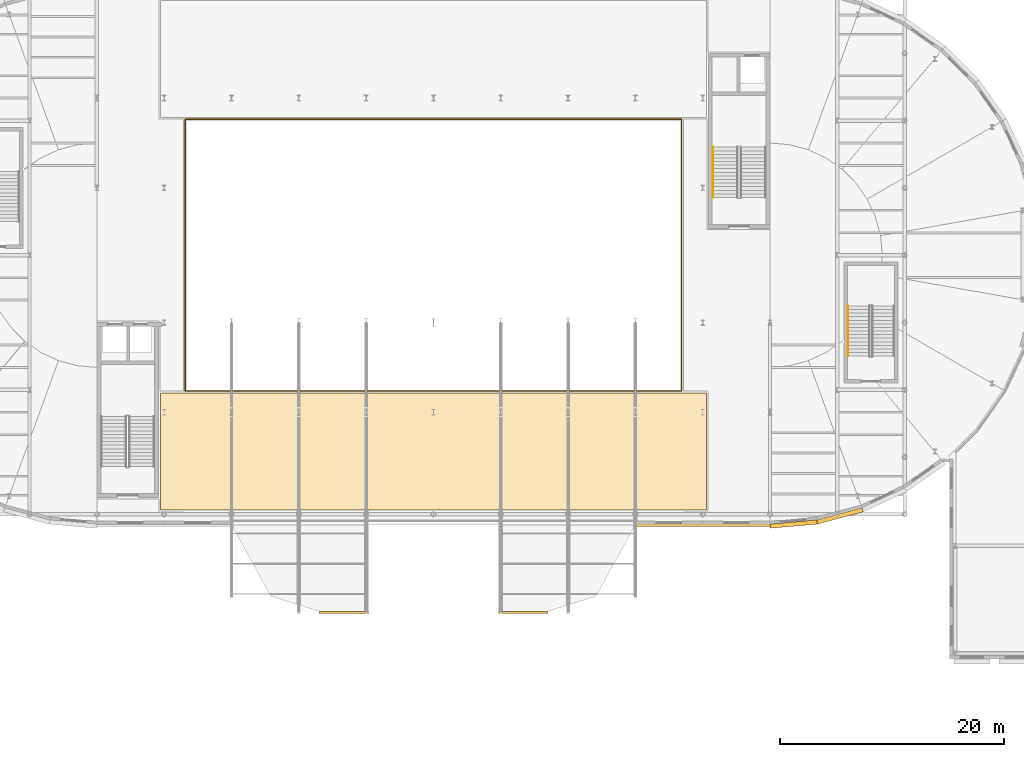
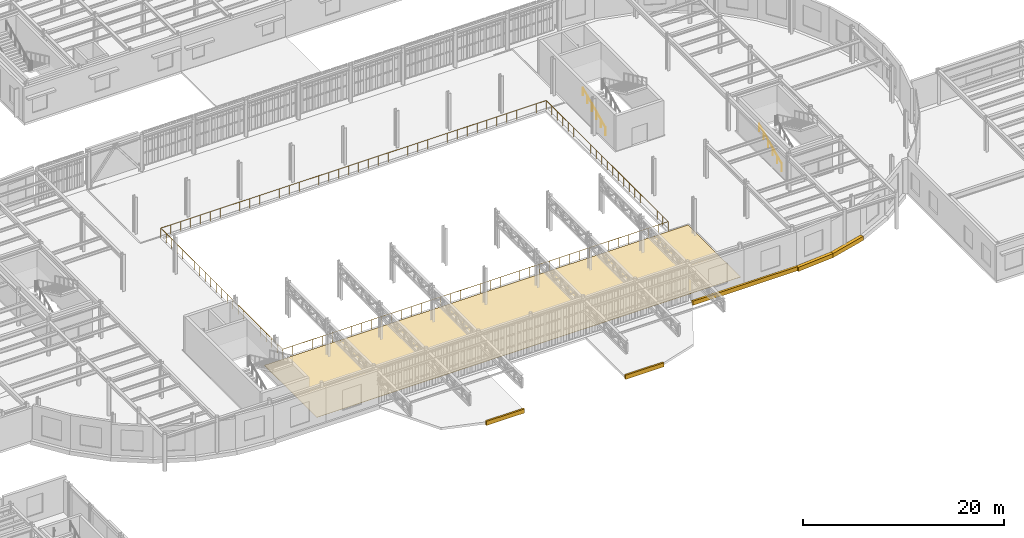
# One storey, part 81 of 91: 6 coverings, 3 railings, 2 elements without a shape of their own.
"""IFC4 building model written with IfcOpenShell, lengths in metres."""

import ifcopenshell
import ifcopenshell.guid

model = None  # the IFC model being written
_history = None  # IfcOwnerHistory: only IFC2X3 demands one
_inside = {}  # id of a spatial element -> (the spatial element, [elements in it])
_under = {}  # id of a project, library or spatial element -> (it, [spatial elements below it])
_declared = {}  # id of a project -> (the project, [libraries it declares])
_typed = {}  # id of a type object -> (the type object, [elements of that type])
_made_of = {}  # id of a material, layer set ... -> (it, [elements and type objects made of it])


def new_model(schema):
    """Start an empty IFC model of exactly this schema.

    Asked for "IFC4X3", IfcOpenShell would pick the latest addendum, in which some entities
    have other attributes; the version numbers below select the first issue.
    IFC2X3 requires an IfcOwnerHistory on every rooted entity: one is made here for all.
    """
    global model, _history
    if schema == "IFC4X3":
        model = ifcopenshell.file(schema_version=(4, 3, 0, 0))
    else:
        model = ifcopenshell.file(schema=schema)
    _inside.clear()
    _under.clear()
    _declared.clear()
    _typed.clear()
    _made_of.clear()
    _history = None
    if model.schema == "IFC2X3":
        org = make("IfcOrganization", Name="unknown")
        user = make(
            "IfcPersonAndOrganization",
            ThePerson=make("IfcPerson", FamilyName="unknown"),
            TheOrganization=org,
        )
        app = make(
            "IfcApplication",
            ApplicationDeveloper=org,
            Version="unknown",
            ApplicationFullName="unknown",
            ApplicationIdentifier="unknown",
        )
        _history = make(
            "IfcOwnerHistory",
            OwningUser=user,
            OwningApplication=app,
            ChangeAction="ADDED",
            CreationDate=0,
        )
    return model


def make(cls, **values):
    """One entity of the class cls with the attributes given. An attribute that is None is left unset."""
    return model.create_entity(
        cls, **{name: value for name, value in values.items() if value is not None}
    )


def rooted(cls, **values):
    """An entity with a GlobalId (a new one), such as an element, a storey or a relation."""
    return make(cls, GlobalId=ifcopenshell.guid.new(), OwnerHistory=_history, **values)


def si_unit(unit_type, name, prefix=None):
    """IfcSIUnit, for example si_unit("LENGTHUNIT", "METRE", prefix="MILLI")."""
    return make("IfcSIUnit", UnitType=unit_type, Prefix=prefix, Name=name)


def assignment(units):
    """IfcUnitAssignment: the units of a project."""
    return None if units is None else make("IfcUnitAssignment", Units=units)


def point(xyz):
    """IfcCartesianPoint."""
    return None if xyz is None else make("IfcCartesianPoint", Coordinates=xyz)


def direction(xyz):
    """IfcDirection."""
    return None if xyz is None else make("IfcDirection", DirectionRatios=xyz)


def frame(location, z_axis=None, x_axis=None):
    """IfcAxis2Placement3D, a coordinate frame: its origin and axes. An axis left out is left unset."""
    return make(
        "IfcAxis2Placement3D",
        Location=point(location),
        Axis=direction(z_axis),
        RefDirection=direction(x_axis),
    )


def frame_2d(location, x_axis=None):
    """IfcAxis2Placement2D, a coordinate frame in the plane: its origin and x axis."""
    return make(
        "IfcAxis2Placement2D", Location=point(location), RefDirection=direction(x_axis)
    )


def origin():
    """The frame at (0, 0, 0) with its axes left unset."""
    return frame((0.0, 0.0, 0.0))


def origin_2d():
    """The frame at (0, 0) in the plane with its x axis left unset."""
    return frame_2d((0.0, 0.0))


def place(relative_to, where):
    """IfcLocalPlacement: puts the frame where relative to a parent placement (None: the world)."""
    return make(
        "IfcLocalPlacement", PlacementRelTo=relative_to, RelativePlacement=where
    )


def context(
    kind, dimensions, precision=None, world=None, true_north=None, identifier=None
):
    """IfcGeometricRepresentationContext, for example the 3D "Model" context."""
    return make(
        "IfcGeometricRepresentationContext",
        ContextIdentifier=identifier,
        ContextType=kind,
        CoordinateSpaceDimension=dimensions,
        Precision=precision,
        WorldCoordinateSystem=world,
        TrueNorth=true_north,
    )


def subcontext(parent, identifier, kind, view, scale=None):
    """IfcGeometricRepresentationSubContext, for example "Body" below "Model"."""
    return make(
        "IfcGeometricRepresentationSubContext",
        ContextIdentifier=identifier,
        ContextType=kind,
        ParentContext=parent,
        TargetScale=scale,
        TargetView=view,
    )


def project(units=None, contexts=None):
    """IfcProject with its units and contexts."""
    return rooted(
        "IfcProject",
        Name="project",
        RepresentationContexts=contexts,
        UnitsInContext=assignment(units),
    )


def spatial(cls, under=None, at=None, **own):
    """A site, building, storey or space (cls), placed at a placement, below another one or the project."""
    s = rooted(cls, ObjectPlacement=at, **own)
    if under is not None:
        _under.setdefault(under.id(), (under, []))[1].append(s)
    return s


def polyline(points):
    """IfcPolyline through the points."""
    return make("IfcPolyline", Points=[point(p) for p in points])


def profile(cls, at=None, kind="AREA", **sizes):
    """A parametric profile (cls). Its sizes go by their IFC names, for example OverallWidth=200.0."""
    return make(cls, ProfileType=kind, Position=at, **sizes)


def circle(**sizes):
    """IfcCircleProfileDef."""
    return profile("IfcCircleProfileDef", **sizes)


def outline(outer, holes=None, kind="AREA"):
    """IfcArbitraryClosedProfileDef: a profile drawn as a closed curve; with holes, ...WithVoids."""
    if holes is None:
        return make("IfcArbitraryClosedProfileDef", ProfileType=kind, OuterCurve=outer)
    return make(
        "IfcArbitraryProfileDefWithVoids",
        ProfileType=kind,
        OuterCurve=outer,
        InnerCurves=holes,
    )


def extrude(swept, where, along, depth):
    """IfcExtrudedAreaSolid: the profile swept, set in the frame where, extruded along a direction by depth."""
    return make(
        "IfcExtrudedAreaSolid",
        SweptArea=swept,
        Position=where,
        ExtrudedDirection=direction(along),
        Depth=depth,
    )


def shape(context_of_items, identifier, shape_type, items):
    """IfcShapeRepresentation: the items that make up one representation, for example the "Body"."""
    return make(
        "IfcShapeRepresentation",
        ContextOfItems=context_of_items,
        RepresentationIdentifier=identifier,
        RepresentationType=shape_type,
        Items=items,
    )


def material(Name=None, Category=None):
    """IfcMaterial."""
    return make("IfcMaterial", Name=Name, Category=Category)


def layer(
    of_material, thickness, ventilated=None, Name=None, Category=None, Priority=None
):
    """IfcMaterialLayer: one layer of a wall or slab, of a material (None: an air gap)."""
    return make(
        "IfcMaterialLayer",
        Material=of_material,
        LayerThickness=thickness,
        IsVentilated=ventilated,
        Name=Name,
        Category=Category,
        Priority=Priority,
    )


def layer_set(layers, Name=None):
    """IfcMaterialLayerSet."""
    return make("IfcMaterialLayerSet", MaterialLayers=layers, LayerSetName=Name)


def made_of(thing, what):
    """Note that an element or type object is made of a material, layer set ...; save() writes the relation."""
    if what is not None:
        _made_of.setdefault(what.id(), (what, []))[1].append(thing)
    return thing


def type_object(cls, material=None, **own):
    """A type object (cls), such as IfcWallType, which elements share."""
    return made_of(rooted(cls, **own), material)


def element(
    cls,
    number,
    at=None,
    inside=None,
    cuts=None,
    type_object=None,
    material=None,
    context=None,
    identifier="Body",
    shape_type=None,
    held_by="IfcProductDefinitionShape",
    body=None,
    shapes=None,
    **own,
):
    """One element of the class cls, such as IfcWall. Its Tag is "e" and its number.

    at: its placement. inside: the storey or other place that contains it. cuts: it is an
    opening in that element (IfcRelVoidsElement). A single representation is given by context,
    identifier, shape_type and body (its items); several are given by shapes. held_by: the class
    of the entity that holds the representations. save() writes the other relations.
    """
    e = rooted(cls, Tag="e%d" % number, ObjectPlacement=at, **own)
    if body is not None:
        shapes = [shape(context, identifier, shape_type, body)]
    if shapes is not None:
        e.Representation = make(held_by, Representations=shapes)
    if inside is not None:
        _inside.setdefault(inside.id(), (inside, []))[1].append(e)
    if cuts is not None:
        rooted(
            "IfcRelVoidsElement", RelatingBuildingElement=cuts, RelatedOpeningElement=e
        )
    if type_object is not None:
        _typed.setdefault(type_object.id(), (type_object, []))[1].append(e)
    return made_of(e, material)


def aggregate(whole, parts):
    """IfcRelAggregates: a whole, such as a stair, and the parts it consists of."""
    return rooted("IfcRelAggregates", RelatingObject=whole, RelatedObjects=parts)


def save(model, path):
    """Write the relations noted so far, then the file.

    IfcRelAggregates (storeys below a building ...), IfcRelContainedInSpatialStructure (elements
    in a storey), IfcRelDefinesByType, IfcRelAssociatesMaterial and IfcRelDeclares: one each for
    every whole, place, type object, material and project.
    """
    for whole, parts in _under.values():
        aggregate(whole, parts)
    for where, things in _inside.values():
        rooted(
            "IfcRelContainedInSpatialStructure",
            RelatedElements=things,
            RelatingStructure=where,
        )
    for kind, things in _typed.values():
        rooted("IfcRelDefinesByType", RelatedObjects=things, RelatingType=kind)
    for what, things in _made_of.values():
        rooted("IfcRelAssociatesMaterial", RelatedObjects=things, RelatingMaterial=what)
    for by, libraries in _declared.values():
        rooted("IfcRelDeclares", RelatingContext=by, RelatedDefinitions=libraries)
    model.write(path)


model = new_model("IFC4")

# Units and contexts
model_context = context("Model", 3, precision=1e-05, world=origin(), true_north=direction((0.0, 1.0)))
body_context = subcontext(model_context, "Body", "Model", "MODEL_VIEW")
ifc_project = project(units=[si_unit("LENGTHUNIT", "METRE"), si_unit("AREAUNIT", "SQUARE_METRE"), si_unit("VOLUMEUNIT", "CUBIC_METRE"), si_unit("PLANEANGLEUNIT", "RADIAN"), si_unit("MASSUNIT", "GRAM", prefix="KILO")], contexts=[model_context])

# Site, building, storey
site_placement = place(None, origin())
site = spatial("IfcSite", under=ifc_project, at=site_placement, CompositionType="ELEMENT")
building_placement = place(site_placement, origin())
building = spatial("IfcBuilding", under=site, at=building_placement, Name="Kolvaren Corner Interchange", CompositionType="ELEMENT")
storey_placement = place(building_placement, frame((0.0, 0.0, 6.0)))
storey = spatial("IfcBuildingStorey", under=building, at=storey_placement, Name="L02", CompositionType="ELEMENT", Elevation=6.0)

# Coverings
ifc_material_1 = material(Name="Polished Niger Delta Granite Terrazzo Flooring", Category="masonry")
ifc_layer_1 = layer(ifc_material_1, 0.030029296875)
ifc_layer_set_1 = layer_set([ifc_layer_1], Name="Polished Niger Delta Granite Terrazzo Flooring")
covering_type_1 = type_object("IfcCoveringType", Name="COV-FLR-TER30", PredefinedType="FLOORING", material=ifc_layer_set_1)
covering_1_placement = place(storey_placement, origin())
element("IfcCovering", 1, at=covering_1_placement, inside=storey, type_object=covering_type_1, Name="L02 South Racetrack Waiting Gallery Floor Finish", PredefinedType="FLOORING", context=body_context, shape_type="SweptSolid", body=[
    extrude(outline(polyline([(65.679931640625, 25.280029296875), (114.320068359375, 25.280029296875), (114.320068359375, 35.719970703125), (65.679931640625, 35.719970703125), (65.679931640625, 25.280029296875)])), origin(), (0.0, 0.0, 1.0), 0.030029296875),
])
ifc_material_2 = material(Name="Glazed White Terracotta Fascia Cladding", Category="masonry")
ifc_layer_2 = layer(ifc_material_2, 0.0400390625)
ifc_layer_set_2 = layer_set([ifc_layer_2], Name="Glazed White Terracotta Fascia Cladding")
covering_type_2 = type_object("IfcCoveringType", Name="COV-WHT-CLAD40", PredefinedType="CLADDING", material=ifc_layer_set_2)
covering_2_placement = place(storey_placement, frame((0.0, 0.0, -0.320068359375)))
element("IfcCovering", 2, at=covering_2_placement, inside=storey, type_object=covering_type_2, Name="South Portal L02 West Parted White Band", PredefinedType="CLADDING", context=body_context, shape_type="SweptSolid", body=[
    extrude(outline(polyline([(79.800048828125, 16.050048828125), (84.199951171875, 16.050048828125), (84.199951171875, 16.25), (79.800048828125, 16.25), (79.800048828125, 16.050048828125)])), origin(), (0.0, 0.0, 1.0), 0.5),
])
covering_3_placement = place(storey_placement, frame((0.0, 0.0, -0.320068359375)))
element("IfcCovering", 3, at=covering_3_placement, inside=storey, type_object=covering_type_2, Name="South Portal L02 East Parted White Band", PredefinedType="CLADDING", context=body_context, shape_type="SweptSolid", body=[
    extrude(outline(polyline([(95.800048828125, 16.050048828125), (100.199951171875, 16.050048828125), (100.199951171875, 16.25), (95.800048828125, 16.25), (95.800048828125, 16.050048828125)])), origin(), (0.0, 0.0, 1.0), 0.5),
])
covering_4_placement = place(storey_placement, frame((0.0, 0.0, -0.320068359375)))
element("IfcCovering", 4, at=covering_4_placement, inside=storey, type_object=covering_type_2, Name="Racetrack South East L02 White Band", PredefinedType="CLADDING", context=body_context, shape_type="SweptSolid", body=[
    extrude(outline(polyline([(108.0, 23.820068359375), (120.0, 23.820068359375), (120.0, 24.06005859375), (108.0, 24.06005859375), (108.0, 23.820068359375)])), origin(), (0.0, 0.0, 1.0), 0.5),
])
covering_5_placement = place(storey_placement, frame((0.0, 0.0, -0.320068359375)))
element("IfcCovering", 5, at=covering_5_placement, inside=storey, type_object=covering_type_2, Name="Racetrack East L02 Sweeping White Edge Band 01", PredefinedType="CLADDING", context=body_context, shape_type="SweptSolid", body=[
    extrude(outline(polyline([(120.0, 24.0400390625), (120.0, 23.659912109375), (124.2265625, 24.02978515625), (124.16064453125, 24.404052734375), (120.0, 24.0400390625)])), origin(), (0.0, 0.0, 1.0), 0.5),
])
covering_6_placement = place(storey_placement, frame((0.0, 0.0, -0.320068359375)))
element("IfcCovering", 6, at=covering_6_placement, inside=storey, type_object=covering_type_2, Name="Racetrack East L02 Sweeping White Edge Band 02", PredefinedType="CLADDING", context=body_context, shape_type="SweptSolid", body=[
    extrude(outline(polyline([(124.16064453125, 24.404052734375), (124.2265625, 24.02978515625), (128.32470703125, 25.1279296875), (128.19482421875, 25.485107421875), (124.16064453125, 24.404052734375)])), origin(), (0.0, 0.0, 1.0), 0.5),
])

# Railing
ifc_material_3 = material(Name="Brushed Stainless Steel and Glass Atrium Guardrail", Category="steel")
railing_type_1 = type_object("IfcRailingType", Name="RLT-ATR-GRD1120", PredefinedType="GUARDRAIL", material=ifc_material_3)
railing_1_placement = place(storey_placement, frame((67.8798828125, 35.8798828125, 0.0)))
element("IfcRailing", 7, at=railing_1_placement, inside=storey, type_object=railing_type_1, Name="Level 02 Concourse Atrium Void Guardrail", PredefinedType="GUARDRAIL", context=body_context, shape_type="SweptSolid", body=[
    extrude(circle(Radius=0.02490234375, at=origin_2d()), frame((0.0, 0.0, 1.09521484375), z_axis=(1.0, 0.0, 0.0), x_axis=(0.0, 1.0, 0.0)), (0.0, 0.0, 1.0), 44.240234375),
    extrude(circle(Radius=0.02490234375, at=origin_2d()), frame((44.240234375, 0.0, 1.09521484375), z_axis=(0.0, 1.0, 0.0), x_axis=(-1.0, 0.0, 0.0)), (0.0, 0.0, 1.0), 24.240234375),
    extrude(circle(Radius=0.02490234375, at=origin_2d()), frame((44.240234375, 24.240234375, 1.09521484375), z_axis=(-1.0, 0.0, 0.0), x_axis=(0.0, -1.0, 0.0)), (0.0, 0.0, 1.0), 44.240234375),
    extrude(circle(Radius=0.02490234375, at=origin_2d()), frame((0.0, 24.240234375, 1.09521484375), z_axis=(0.0, -1.0, 0.0), x_axis=(1.0, 0.0, 0.0)), (0.0, 0.0, 1.0), 24.240234375),
    extrude(circle(Radius=0.02099609375, at=origin_2d()), origin(), (0.0, 0.0, 1.0), 1.070068359375),
    extrude(circle(Radius=0.02099609375, at=origin_2d()), frame((1.13427734375, 0.0, 0.0)), (0.0, 0.0, 1.0), 1.070068359375),
    extrude(circle(Radius=0.02099609375, at=origin_2d()), frame((2.268798828125, 0.0, 0.0)), (0.0, 0.0, 1.0), 1.070068359375),
    extrude(circle(Radius=0.02099609375, at=origin_2d()), frame((3.403076171875, 0.0, 0.0)), (0.0, 0.0, 1.0), 1.070068359375),
    extrude(circle(Radius=0.02099609375, at=origin_2d()), frame((4.537353515625, 0.0, 0.0)), (0.0, 0.0, 1.0), 1.070068359375),
    extrude(circle(Radius=0.02099609375, at=origin_2d()), frame((5.671875, 0.0, 0.0)), (0.0, 0.0, 1.0), 1.070068359375),
    extrude(circle(Radius=0.02099609375, at=origin_2d()), frame((6.80615234375, 0.0, 0.0)), (0.0, 0.0, 1.0), 1.070068359375),
    extrude(circle(Radius=0.02099609375, at=origin_2d()), frame((7.940673828125, 0.0, 0.0)), (0.0, 0.0, 1.0), 1.070068359375),
    extrude(circle(Radius=0.02099609375, at=origin_2d()), frame((9.074951171875, 0.0, 0.0)), (0.0, 0.0, 1.0), 1.070068359375),
    extrude(circle(Radius=0.02099609375, at=origin_2d()), frame((10.209228515625, 0.0, 0.0)), (0.0, 0.0, 1.0), 1.070068359375),
    extrude(circle(Radius=0.02099609375, at=origin_2d()), frame((11.34375, 0.0, 0.0)), (0.0, 0.0, 1.0), 1.070068359375),
    extrude(circle(Radius=0.02099609375, at=origin_2d()), frame((12.47802734375, 0.0, 0.0)), (0.0, 0.0, 1.0), 1.070068359375),
    extrude(circle(Radius=0.02099609375, at=origin_2d()), frame((13.6123046875, 0.0, 0.0)), (0.0, 0.0, 1.0), 1.070068359375),
    extrude(circle(Radius=0.02099609375, at=origin_2d()), frame((14.746826171875, 0.0, 0.0)), (0.0, 0.0, 1.0), 1.070068359375),
    extrude(circle(Radius=0.02099609375, at=origin_2d()), frame((15.881103515625, 0.0, 0.0)), (0.0, 0.0, 1.0), 1.070068359375),
    extrude(circle(Radius=0.02099609375, at=origin_2d()), frame((17.015380859375, 0.0, 0.0)), (0.0, 0.0, 1.0), 1.070068359375),
    extrude(circle(Radius=0.02099609375, at=origin_2d()), frame((18.14990234375, 0.0, 0.0)), (0.0, 0.0, 1.0), 1.070068359375),
    extrude(circle(Radius=0.02099609375, at=origin_2d()), frame((19.2841796875, 0.0, 0.0)), (0.0, 0.0, 1.0), 1.070068359375),
    extrude(circle(Radius=0.02099609375, at=origin_2d()), frame((20.41845703125, 0.0, 0.0)), (0.0, 0.0, 1.0), 1.070068359375),
    extrude(circle(Radius=0.02099609375, at=origin_2d()), frame((21.552978515625, 0.0, 0.0)), (0.0, 0.0, 1.0), 1.070068359375),
    extrude(circle(Radius=0.02099609375, at=origin_2d()), frame((22.687255859375, 0.0, 0.0)), (0.0, 0.0, 1.0), 1.070068359375),
    extrude(circle(Radius=0.02099609375, at=origin_2d()), frame((23.82177734375, 0.0, 0.0)), (0.0, 0.0, 1.0), 1.070068359375),
    extrude(circle(Radius=0.02099609375, at=origin_2d()), frame((24.9560546875, 0.0, 0.0)), (0.0, 0.0, 1.0), 1.070068359375),
    extrude(circle(Radius=0.02099609375, at=origin_2d()), frame((26.09033203125, 0.0, 0.0)), (0.0, 0.0, 1.0), 1.070068359375),
    extrude(circle(Radius=0.02099609375, at=origin_2d()), frame((27.224853515625, 0.0, 0.0)), (0.0, 0.0, 1.0), 1.070068359375),
    extrude(circle(Radius=0.02099609375, at=origin_2d()), frame((28.359130859375, 0.0, 0.0)), (0.0, 0.0, 1.0), 1.070068359375),
    extrude(circle(Radius=0.02099609375, at=origin_2d()), frame((29.493408203125, 0.0, 0.0)), (0.0, 0.0, 1.0), 1.070068359375),
    extrude(circle(Radius=0.02099609375, at=origin_2d()), frame((30.6279296875, 0.0, 0.0)), (0.0, 0.0, 1.0), 1.070068359375),
    extrude(circle(Radius=0.02099609375, at=origin_2d()), frame((31.76220703125, 0.0, 0.0)), (0.0, 0.0, 1.0), 1.070068359375),
    extrude(circle(Radius=0.02099609375, at=origin_2d()), frame((32.896484375, 0.0, 0.0)), (0.0, 0.0, 1.0), 1.070068359375),
    extrude(circle(Radius=0.02099609375, at=origin_2d()), frame((34.031005859375, 0.0, 0.0)), (0.0, 0.0, 1.0), 1.070068359375),
    extrude(circle(Radius=0.02099609375, at=origin_2d()), frame((35.165283203125, 0.0, 0.0)), (0.0, 0.0, 1.0), 1.070068359375),
    extrude(circle(Radius=0.02099609375, at=origin_2d()), frame((36.299560546875, 0.0, 0.0)), (0.0, 0.0, 1.0), 1.070068359375),
    extrude(circle(Radius=0.02099609375, at=origin_2d()), frame((37.43408203125, 0.0, 0.0)), (0.0, 0.0, 1.0), 1.070068359375),
    extrude(circle(Radius=0.02099609375, at=origin_2d()), frame((38.568359375, 0.0, 0.0)), (0.0, 0.0, 1.0), 1.070068359375),
    extrude(circle(Radius=0.02099609375, at=origin_2d()), frame((39.702880859375, 0.0, 0.0)), (0.0, 0.0, 1.0), 1.070068359375),
    extrude(circle(Radius=0.02099609375, at=origin_2d()), frame((40.837158203125, 0.0, 0.0)), (0.0, 0.0, 1.0), 1.070068359375),
    extrude(circle(Radius=0.02099609375, at=origin_2d()), frame((41.971435546875, 0.0, 0.0)), (0.0, 0.0, 1.0), 1.070068359375),
    extrude(circle(Radius=0.02099609375, at=origin_2d()), frame((43.10595703125, 0.0, 0.0)), (0.0, 0.0, 1.0), 1.070068359375),
    extrude(circle(Radius=0.02099609375, at=origin_2d()), frame((44.240234375, 0.0, 0.0)), (0.0, 0.0, 1.0), 1.070068359375),
    extrude(circle(Radius=0.02099609375, at=origin_2d()), frame((44.240234375, 1.101806640625, 0.0)), (0.0, 0.0, 1.0), 1.070068359375),
    extrude(circle(Radius=0.02099609375, at=origin_2d()), frame((44.240234375, 2.20361328125, 0.0)), (0.0, 0.0, 1.0), 1.070068359375),
    extrude(circle(Radius=0.02099609375, at=origin_2d()), frame((44.240234375, 3.305419921875, 0.0)), (0.0, 0.0, 1.0), 1.070068359375),
    extrude(circle(Radius=0.02099609375, at=origin_2d()), frame((44.240234375, 4.4072265625, 0.0)), (0.0, 0.0, 1.0), 1.070068359375),
    extrude(circle(Radius=0.02099609375, at=origin_2d()), frame((44.240234375, 5.509033203125, 0.0)), (0.0, 0.0, 1.0), 1.070068359375),
    extrude(circle(Radius=0.02099609375, at=origin_2d()), frame((44.240234375, 6.611083984375, 0.0)), (0.0, 0.0, 1.0), 1.070068359375),
    extrude(circle(Radius=0.02099609375, at=origin_2d()), frame((44.240234375, 7.712890625, 0.0)), (0.0, 0.0, 1.0), 1.070068359375),
    extrude(circle(Radius=0.02099609375, at=origin_2d()), frame((44.240234375, 8.814697265625, 0.0)), (0.0, 0.0, 1.0), 1.070068359375),
    extrude(circle(Radius=0.02099609375, at=origin_2d()), frame((44.240234375, 9.91650390625, 0.0)), (0.0, 0.0, 1.0), 1.070068359375),
    extrude(circle(Radius=0.02099609375, at=origin_2d()), frame((44.240234375, 11.018310546875, 0.0)), (0.0, 0.0, 1.0), 1.070068359375),
    extrude(circle(Radius=0.02099609375, at=origin_2d()), frame((44.240234375, 12.1201171875, 0.0)), (0.0, 0.0, 1.0), 1.070068359375),
    extrude(circle(Radius=0.02099609375, at=origin_2d()), frame((44.240234375, 13.221923828125, 0.0)), (0.0, 0.0, 1.0), 1.070068359375),
    extrude(circle(Radius=0.02099609375, at=origin_2d()), frame((44.240234375, 14.32373046875, 0.0)), (0.0, 0.0, 1.0), 1.070068359375),
    extrude(circle(Radius=0.02099609375, at=origin_2d()), frame((44.240234375, 15.425537109375, 0.0)), (0.0, 0.0, 1.0), 1.070068359375),
    extrude(circle(Radius=0.02099609375, at=origin_2d()), frame((44.240234375, 16.52734375, 0.0)), (0.0, 0.0, 1.0), 1.070068359375),
    extrude(circle(Radius=0.02099609375, at=origin_2d()), frame((44.240234375, 17.629150390625, 0.0)), (0.0, 0.0, 1.0), 1.070068359375),
    extrude(circle(Radius=0.02099609375, at=origin_2d()), frame((44.240234375, 18.731201171875, 0.0)), (0.0, 0.0, 1.0), 1.070068359375),
    extrude(circle(Radius=0.02099609375, at=origin_2d()), frame((44.240234375, 19.8330078125, 0.0)), (0.0, 0.0, 1.0), 1.070068359375),
    extrude(circle(Radius=0.02099609375, at=origin_2d()), frame((44.240234375, 20.934814453125, 0.0)), (0.0, 0.0, 1.0), 1.070068359375),
    extrude(circle(Radius=0.02099609375, at=origin_2d()), frame((44.240234375, 22.03662109375, 0.0)), (0.0, 0.0, 1.0), 1.070068359375),
    extrude(circle(Radius=0.02099609375, at=origin_2d()), frame((44.240234375, 23.138427734375, 0.0)), (0.0, 0.0, 1.0), 1.070068359375),
    extrude(circle(Radius=0.02099609375, at=origin_2d()), frame((44.240234375, 24.240234375, 0.0)), (0.0, 0.0, 1.0), 1.070068359375),
    extrude(circle(Radius=0.02099609375, at=origin_2d()), frame((43.10595703125, 24.240234375, 0.0)), (0.0, 0.0, 1.0), 1.070068359375),
    extrude(circle(Radius=0.02099609375, at=origin_2d()), frame((41.971435546875, 24.240234375, 0.0)), (0.0, 0.0, 1.0), 1.070068359375),
    extrude(circle(Radius=0.02099609375, at=origin_2d()), frame((40.837158203125, 24.240234375, 0.0)), (0.0, 0.0, 1.0), 1.070068359375),
    extrude(circle(Radius=0.02099609375, at=origin_2d()), frame((39.702880859375, 24.240234375, 0.0)), (0.0, 0.0, 1.0), 1.070068359375),
    extrude(circle(Radius=0.02099609375, at=origin_2d()), frame((38.568359375, 24.240234375, 0.0)), (0.0, 0.0, 1.0), 1.070068359375),
    extrude(circle(Radius=0.02099609375, at=origin_2d()), frame((37.43408203125, 24.240234375, 0.0)), (0.0, 0.0, 1.0), 1.070068359375),
    extrude(circle(Radius=0.02099609375, at=origin_2d()), frame((36.299560546875, 24.240234375, 0.0)), (0.0, 0.0, 1.0), 1.070068359375),
    extrude(circle(Radius=0.02099609375, at=origin_2d()), frame((35.165283203125, 24.240234375, 0.0)), (0.0, 0.0, 1.0), 1.070068359375),
    extrude(circle(Radius=0.02099609375, at=origin_2d()), frame((34.031005859375, 24.240234375, 0.0)), (0.0, 0.0, 1.0), 1.070068359375),
    extrude(circle(Radius=0.02099609375, at=origin_2d()), frame((32.896484375, 24.240234375, 0.0)), (0.0, 0.0, 1.0), 1.070068359375),
    extrude(circle(Radius=0.02099609375, at=origin_2d()), frame((31.76220703125, 24.240234375, 0.0)), (0.0, 0.0, 1.0), 1.070068359375),
    extrude(circle(Radius=0.02099609375, at=origin_2d()), frame((30.6279296875, 24.240234375, 0.0)), (0.0, 0.0, 1.0), 1.070068359375),
    extrude(circle(Radius=0.02099609375, at=origin_2d()), frame((29.493408203125, 24.240234375, 0.0)), (0.0, 0.0, 1.0), 1.070068359375),
    extrude(circle(Radius=0.02099609375, at=origin_2d()), frame((28.359130859375, 24.240234375, 0.0)), (0.0, 0.0, 1.0), 1.070068359375),
    extrude(circle(Radius=0.02099609375, at=origin_2d()), frame((27.224853515625, 24.240234375, 0.0)), (0.0, 0.0, 1.0), 1.070068359375),
    extrude(circle(Radius=0.02099609375, at=origin_2d()), frame((26.09033203125, 24.240234375, 0.0)), (0.0, 0.0, 1.0), 1.070068359375),
    extrude(circle(Radius=0.02099609375, at=origin_2d()), frame((24.9560546875, 24.240234375, 0.0)), (0.0, 0.0, 1.0), 1.070068359375),
    extrude(circle(Radius=0.02099609375, at=origin_2d()), frame((23.82177734375, 24.240234375, 0.0)), (0.0, 0.0, 1.0), 1.070068359375),
    extrude(circle(Radius=0.02099609375, at=origin_2d()), frame((22.687255859375, 24.240234375, 0.0)), (0.0, 0.0, 1.0), 1.070068359375),
    extrude(circle(Radius=0.02099609375, at=origin_2d()), frame((21.552978515625, 24.240234375, 0.0)), (0.0, 0.0, 1.0), 1.070068359375),
    extrude(circle(Radius=0.02099609375, at=origin_2d()), frame((20.41845703125, 24.240234375, 0.0)), (0.0, 0.0, 1.0), 1.070068359375),
    extrude(circle(Radius=0.02099609375, at=origin_2d()), frame((19.2841796875, 24.240234375, 0.0)), (0.0, 0.0, 1.0), 1.070068359375),
    extrude(circle(Radius=0.02099609375, at=origin_2d()), frame((18.14990234375, 24.240234375, 0.0)), (0.0, 0.0, 1.0), 1.070068359375),
    extrude(circle(Radius=0.02099609375, at=origin_2d()), frame((17.015380859375, 24.240234375, 0.0)), (0.0, 0.0, 1.0), 1.070068359375),
    extrude(circle(Radius=0.02099609375, at=origin_2d()), frame((15.881103515625, 24.240234375, 0.0)), (0.0, 0.0, 1.0), 1.070068359375),
    extrude(circle(Radius=0.02099609375, at=origin_2d()), frame((14.746826171875, 24.240234375, 0.0)), (0.0, 0.0, 1.0), 1.070068359375),
    extrude(circle(Radius=0.02099609375, at=origin_2d()), frame((13.6123046875, 24.240234375, 0.0)), (0.0, 0.0, 1.0), 1.070068359375),
    extrude(circle(Radius=0.02099609375, at=origin_2d()), frame((12.47802734375, 24.240234375, 0.0)), (0.0, 0.0, 1.0), 1.070068359375),
    extrude(circle(Radius=0.02099609375, at=origin_2d()), frame((11.34375, 24.240234375, 0.0)), (0.0, 0.0, 1.0), 1.070068359375),
    extrude(circle(Radius=0.02099609375, at=origin_2d()), frame((10.209228515625, 24.240234375, 0.0)), (0.0, 0.0, 1.0), 1.070068359375),
    extrude(circle(Radius=0.02099609375, at=origin_2d()), frame((9.074951171875, 24.240234375, 0.0)), (0.0, 0.0, 1.0), 1.070068359375),
    extrude(circle(Radius=0.02099609375, at=origin_2d()), frame((7.940673828125, 24.240234375, 0.0)), (0.0, 0.0, 1.0), 1.070068359375),
    extrude(circle(Radius=0.02099609375, at=origin_2d()), frame((6.80615234375, 24.240234375, 0.0)), (0.0, 0.0, 1.0), 1.070068359375),
    extrude(circle(Radius=0.02099609375, at=origin_2d()), frame((5.671875, 24.240234375, 0.0)), (0.0, 0.0, 1.0), 1.070068359375),
    extrude(circle(Radius=0.02099609375, at=origin_2d()), frame((4.537353515625, 24.240234375, 0.0)), (0.0, 0.0, 1.0), 1.070068359375),
    extrude(circle(Radius=0.02099609375, at=origin_2d()), frame((3.403076171875, 24.240234375, 0.0)), (0.0, 0.0, 1.0), 1.070068359375),
    extrude(circle(Radius=0.02099609375, at=origin_2d()), frame((2.268798828125, 24.240234375, 0.0)), (0.0, 0.0, 1.0), 1.070068359375),
    extrude(circle(Radius=0.02099609375, at=origin_2d()), frame((1.13427734375, 24.240234375, 0.0)), (0.0, 0.0, 1.0), 1.070068359375),
    extrude(circle(Radius=0.02099609375, at=origin_2d()), frame((0.0, 24.240234375, 0.0)), (0.0, 0.0, 1.0), 1.070068359375),
    extrude(circle(Radius=0.02099609375, at=origin_2d()), frame((0.0, 23.138427734375, 0.0)), (0.0, 0.0, 1.0), 1.070068359375),
    extrude(circle(Radius=0.02099609375, at=origin_2d()), frame((0.0, 22.03662109375, 0.0)), (0.0, 0.0, 1.0), 1.070068359375),
    extrude(circle(Radius=0.02099609375, at=origin_2d()), frame((0.0, 20.934814453125, 0.0)), (0.0, 0.0, 1.0), 1.070068359375),
    extrude(circle(Radius=0.02099609375, at=origin_2d()), frame((0.0, 19.8330078125, 0.0)), (0.0, 0.0, 1.0), 1.070068359375),
    extrude(circle(Radius=0.02099609375, at=origin_2d()), frame((0.0, 18.731201171875, 0.0)), (0.0, 0.0, 1.0), 1.070068359375),
    extrude(circle(Radius=0.02099609375, at=origin_2d()), frame((0.0, 17.629150390625, 0.0)), (0.0, 0.0, 1.0), 1.070068359375),
    extrude(circle(Radius=0.02099609375, at=origin_2d()), frame((0.0, 16.52734375, 0.0)), (0.0, 0.0, 1.0), 1.070068359375),
    extrude(circle(Radius=0.02099609375, at=origin_2d()), frame((0.0, 15.425537109375, 0.0)), (0.0, 0.0, 1.0), 1.070068359375),
    extrude(circle(Radius=0.02099609375, at=origin_2d()), frame((0.0, 14.32373046875, 0.0)), (0.0, 0.0, 1.0), 1.070068359375),
    extrude(circle(Radius=0.02099609375, at=origin_2d()), frame((0.0, 13.221923828125, 0.0)), (0.0, 0.0, 1.0), 1.070068359375),
    extrude(circle(Radius=0.02099609375, at=origin_2d()), frame((0.0, 12.1201171875, 0.0)), (0.0, 0.0, 1.0), 1.070068359375),
    extrude(circle(Radius=0.02099609375, at=origin_2d()), frame((0.0, 11.018310546875, 0.0)), (0.0, 0.0, 1.0), 1.070068359375),
    extrude(circle(Radius=0.02099609375, at=origin_2d()), frame((0.0, 9.91650390625, 0.0)), (0.0, 0.0, 1.0), 1.070068359375),
    extrude(circle(Radius=0.02099609375, at=origin_2d()), frame((0.0, 8.814697265625, 0.0)), (0.0, 0.0, 1.0), 1.070068359375),
    extrude(circle(Radius=0.02099609375, at=origin_2d()), frame((0.0, 7.712890625, 0.0)), (0.0, 0.0, 1.0), 1.070068359375),
    extrude(circle(Radius=0.02099609375, at=origin_2d()), frame((0.0, 6.611083984375, 0.0)), (0.0, 0.0, 1.0), 1.070068359375),
    extrude(circle(Radius=0.02099609375, at=origin_2d()), frame((0.0, 5.509033203125, 0.0)), (0.0, 0.0, 1.0), 1.070068359375),
    extrude(circle(Radius=0.02099609375, at=origin_2d()), frame((0.0, 4.4072265625, 0.0)), (0.0, 0.0, 1.0), 1.070068359375),
    extrude(circle(Radius=0.02099609375, at=origin_2d()), frame((0.0, 3.305419921875, 0.0)), (0.0, 0.0, 1.0), 1.070068359375),
    extrude(circle(Radius=0.02099609375, at=origin_2d()), frame((0.0, 2.20361328125, 0.0)), (0.0, 0.0, 1.0), 1.070068359375),
    extrude(circle(Radius=0.02099609375, at=origin_2d()), frame((0.0, 1.101806640625, 0.0)), (0.0, 0.0, 1.0), 1.070068359375),
])

# Stair, railing
ifc_material_4 = material(Name="Concrete C35/45", Category="concrete")
stair_type_1 = type_object("IfcStairType", Name="ST-TR-2300", PredefinedType="HALF_TURN_STAIR", material=ifc_material_4)
stair_1_placement = place(storey_placement, origin())
stair_1 = element("IfcStair", 8, at=stair_1_placement, inside=storey, type_object=stair_type_1, Name="Core C4 East Concourse Transfer Stair L02 to L03 Stair", PredefinedType="HALF_TURN_STAIR")
ifc_material_5 = material(Name="Brushed Stainless Steel Stair Handrail", Category="steel")
railing_type_2 = type_object("IfcRailingType", Name="RLT-STAIR-HR950", PredefinedType="HANDRAIL", material=ifc_material_5)
railing_2_placement = place(storey_placement, frame((114.909912109375, 53.14990234375, 0.14990234375)))
railing_2 = element("IfcRailing", 9, at=railing_2_placement, type_object=railing_type_2, Name="Core C4 East Concourse Transfer Stair L02 Lower Flight Wall Handrail", PredefinedType="HANDRAIL", context=body_context, shape_type="SweptSolid", body=[
    extrude(circle(Radius=0.02197265625, at=origin_2d()), frame((0.0, 0.0, 0.927978515625), z_axis=(0.0, 0.905450639465, 0.424451574969), x_axis=(-1.0, 0.0, 0.0)), (0.0, 0.0, 1.0), 4.94775390625),
    extrude(circle(Radius=0.01806640625, at=origin_2d()), origin(), (0.0, 0.0, 1.0), 0.906005859375),
    extrude(circle(Radius=0.01806640625, at=origin_2d()), frame((0.0, 0.89599609375, 0.419921875)), (0.0, 0.0, 1.0), 0.906005859375),
    extrude(circle(Radius=0.01806640625, at=origin_2d()), frame((0.0, 1.7919921875, 0.840087890625)), (0.0, 0.0, 1.0), 0.906005859375),
    extrude(circle(Radius=0.01806640625, at=origin_2d()), frame((0.0, 2.68798828125, 1.260009765625)), (0.0, 0.0, 1.0), 0.906005859375),
    extrude(circle(Radius=0.01806640625, at=origin_2d()), frame((0.0, 3.583984375, 1.68017578125)), (0.0, 0.0, 1.0), 0.906005859375),
    extrude(circle(Radius=0.01806640625, at=origin_2d()), frame((0.0, 4.47998046875, 2.10009765625)), (0.0, 0.0, 1.0), 0.906005859375),
])
aggregate(stair_1, [railing_2])

ifc_material_6 = material(Name="Concrete C35/45", Category="concrete")
stair_type_2 = type_object("IfcStairType", Name="ST-GL-2000", PredefinedType="HALF_TURN_STAIR", material=ifc_material_6)
stair_2_placement = place(storey_placement, origin())
stair_2 = element("IfcStair", 10, at=stair_2_placement, inside=storey, type_object=stair_type_2, Name="East Racetrack Concourse Gallery Stair L02 to L03 Stair", PredefinedType="HALF_TURN_STAIR")
railing_3_placement = place(storey_placement, frame((126.9599609375, 39.0, 0.14990234375)))
railing_3 = element("IfcRailing", 11, at=railing_3_placement, type_object=railing_type_2, Name="East Racetrack Concourse Gallery Stair L02 Lower Flight Wall Handrail", PredefinedType="HANDRAIL", context=body_context, shape_type="SweptSolid", body=[
    extrude(circle(Radius=0.02197265625, at=origin_2d()), frame((0.0, 0.0, 0.927978515625), z_axis=(0.0, 0.905450639465, 0.424451574969), x_axis=(-1.0, 0.0, 0.0)), (0.0, 0.0, 1.0), 4.94775390625),
    extrude(circle(Radius=0.01806640625, at=origin_2d()), origin(), (0.0, 0.0, 1.0), 0.906005859375),
    extrude(circle(Radius=0.01806640625, at=origin_2d()), frame((0.0, 0.89599609375, 0.419921875)), (0.0, 0.0, 1.0), 0.906005859375),
    extrude(circle(Radius=0.01806640625, at=origin_2d()), frame((0.0, 1.7919921875, 0.840087890625)), (0.0, 0.0, 1.0), 0.906005859375),
    extrude(circle(Radius=0.01806640625, at=origin_2d()), frame((0.0, 2.68798828125, 1.260009765625)), (0.0, 0.0, 1.0), 0.906005859375),
    extrude(circle(Radius=0.01806640625, at=origin_2d()), frame((0.0, 3.583984375, 1.68017578125)), (0.0, 0.0, 1.0), 0.906005859375),
    extrude(circle(Radius=0.01806640625, at=origin_2d()), frame((0.0, 4.47998046875, 2.10009765625)), (0.0, 0.0, 1.0), 0.906005859375),
])
aggregate(stair_2, [railing_3])

save(model, "model.ifc")
